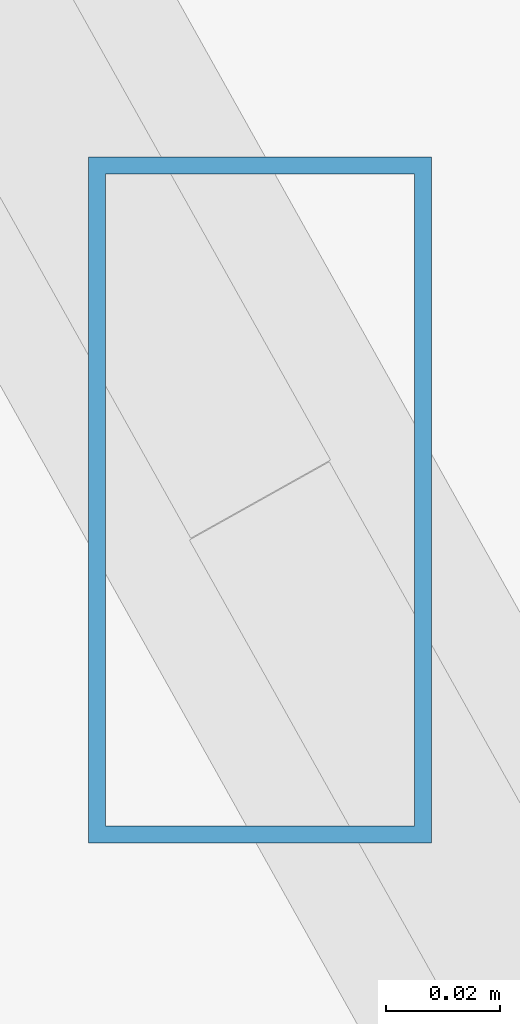
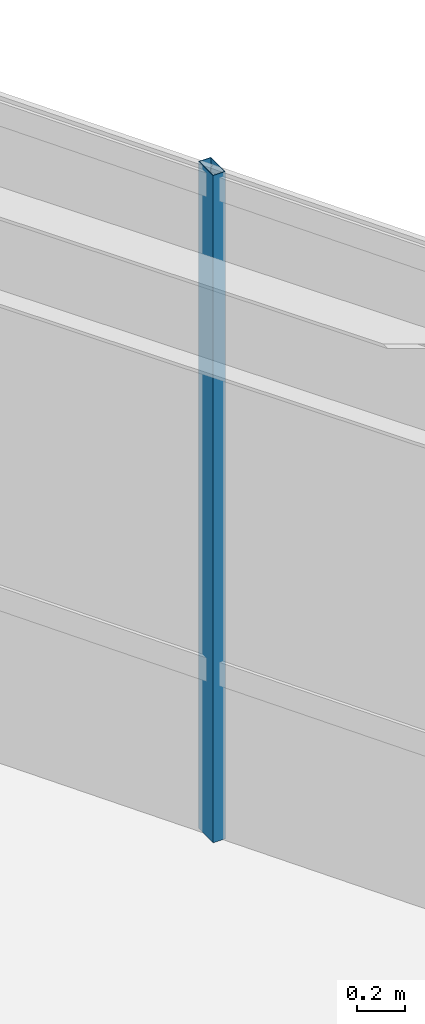
# One storey, part 25 of 47: 1 member, 1 element without a shape of its own.
"""IFC4 building model written with IfcOpenShell, lengths in metres."""

from ifc_helpers import new_model, si_unit, direction, frame, origin, origin_2d, place, context, subcontext, project, spatial, hollow_rectangle, extrude, source, transform, mapped, material, material_profile, profile_set, type_object, type_shapes, element, aggregate, save


model = new_model("IFC4")

# Units and contexts
model_context = context("Model", 3, precision=1e-05, world=origin(), true_north=direction((0.0, 1.0)))
body_context = subcontext(model_context, "Body", "Model", "MODEL_VIEW")
ifc_project = project(units=[si_unit("LENGTHUNIT", "METRE"), si_unit("AREAUNIT", "SQUARE_METRE"), si_unit("VOLUMEUNIT", "CUBIC_METRE"), si_unit("PLANEANGLEUNIT", "RADIAN"), si_unit("MASSUNIT", "GRAM", prefix="KILO")], contexts=[model_context])

# Site, building, storey
site_placement = place(None, origin())
site = spatial("IfcSite", under=ifc_project, at=site_placement, CompositionType="ELEMENT")
building_placement = place(site_placement, origin())
building = spatial("IfcBuilding", under=site, at=building_placement, Name="Caelisora Broadcast Tower", CompositionType="ELEMENT")
storey_placement = place(building_placement, frame((0.0, 0.0, 255.39990234375)))
storey = spatial("IfcBuildingStorey", under=building, at=storey_placement, Name="L67", CompositionType="ELEMENT", Elevation=255.39990234375)

# Curtain wall, member
ifc_material_1 = material(Name="Unitised Aluminium and Low-E Glass Curtain Wall", Category="glass")
curtain_wall_type = type_object("IfcCurtainWallType", Name="CW-Z5", PredefinedType="NOTDEFINED", material=ifc_material_1)
curtain_wall_placement = place(storey_placement, origin())
curtain_wall = element("IfcCurtainWall", 1, at=curtain_wall_placement, inside=storey, type_object=curtain_wall_type, Name="L67 curtain wall CW-Z5", PredefinedType="NOTDEFINED")
ifc_material_2 = material(Name="Aluminium 6063-T6 Anodised Terracotta Bronze", Category="aluminium")
ifc_material_profile = material_profile(ifc_material_2, hollow_rectangle(XDim=0.06005859375, YDim=0.1201171875, WallThickness=0.0029296875, at=origin_2d()), Name="Aluminium 6063-T6 Anodised Terracotta Bronze")
ifc_profile_set = profile_set([ifc_material_profile], Name="Aluminium 6063-T6 Anodised Terracotta Bronze")
member_type = type_object("IfcMemberType", Name="CWM-04", PredefinedType="MULLION", material=ifc_profile_set)
shared_shape = source(origin(), body_context, "Body", "SweptSolid", [
    extrude(hollow_rectangle(XDim=0.06005859375, YDim=0.1201171875, WallThickness=0.0029296875, at=origin_2d()), origin(), (0.0, 0.0, 1.0), 3.400146484375),
])
type_shapes(member_type, [shared_shape])
member_placement = place(storey_placement, frame((57.227783203125, 21.260498046875, 0.0), z_axis=(0.0, 0.0, 1.0), x_axis=(1.0, 0.0, 0.0)))
member = element("IfcMember", 2, at=member_placement, type_object=member_type, Name="L67-CW-B03 mullion #1", PredefinedType="MULLION", context=body_context, shape_type="MappedRepresentation", body=[
    mapped(shared_shape, transform((0.0, 0.0, 0.0), scale=1.0)),
])
aggregate(curtain_wall, [member])

save(model, "model.ifc")
